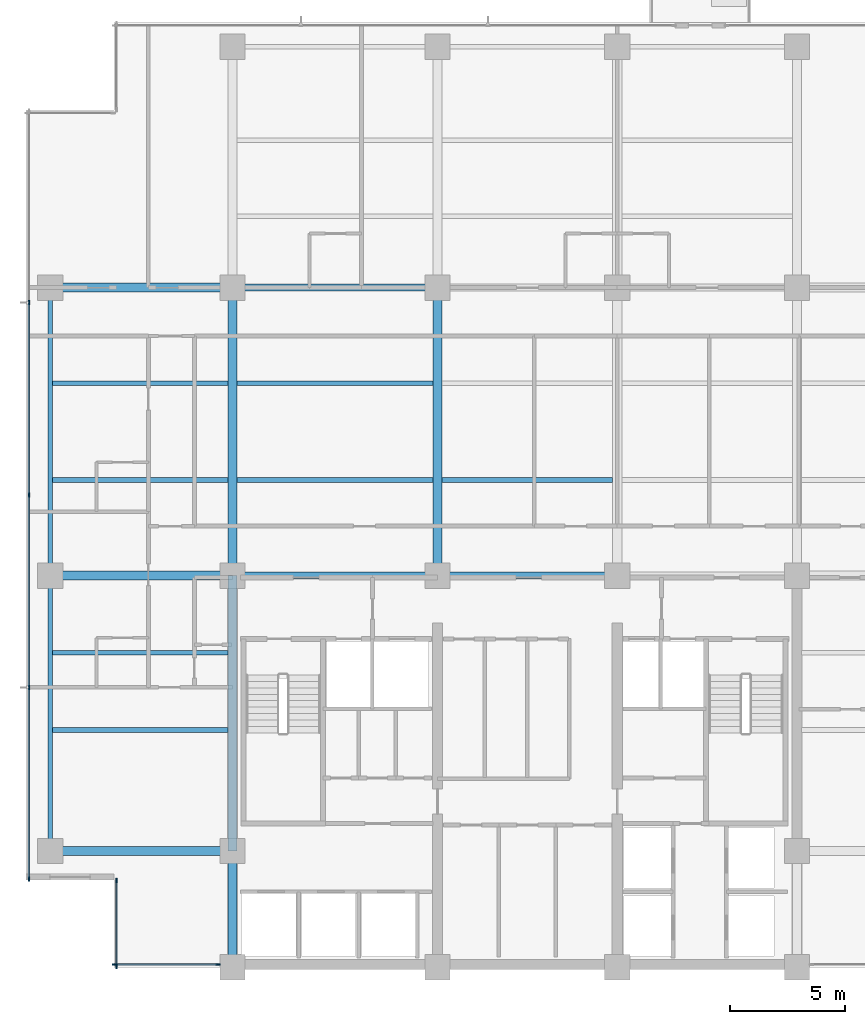
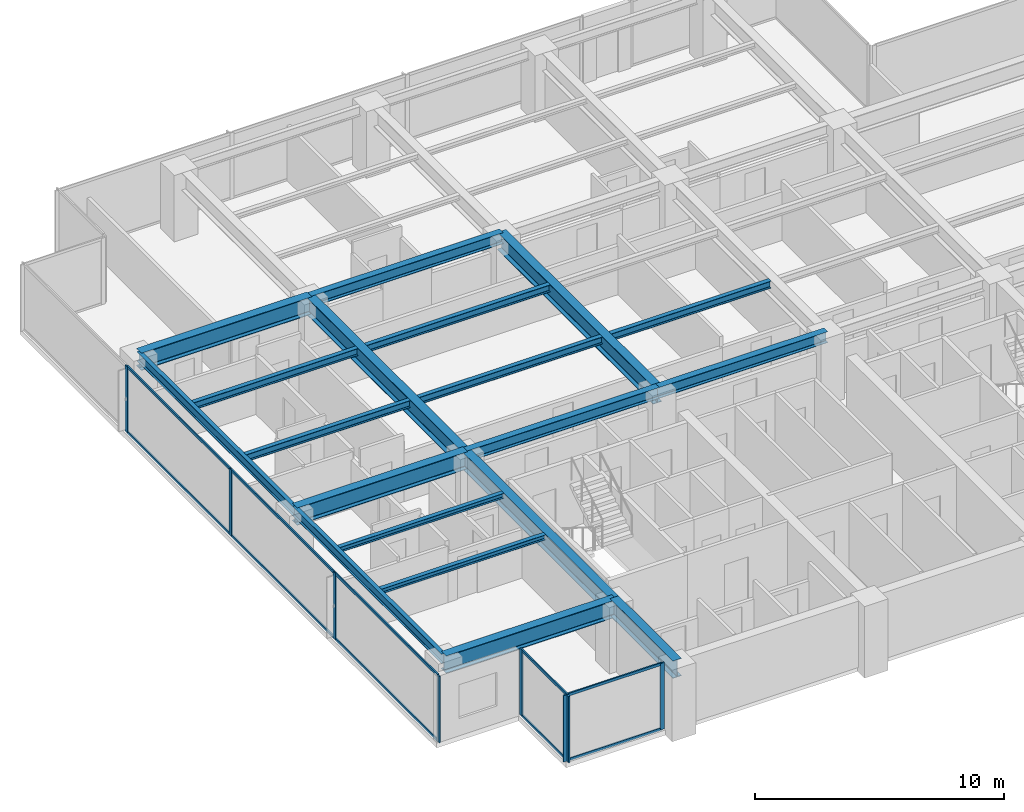
# One storey, part 2 of 15: 19 beams, 18 members, 3 elements without a shape of their own.
"""IFC4 building model written with IfcOpenShell, lengths in metres."""

from ifc_helpers import new_model, si_unit, direction, frame, origin, origin_2d, place, context, subcontext, project, spatial, rectangle, i_section, extrude, material, layer, layer_set, material_profile, profile_set, type_object, element, aggregate, save


model = new_model("IFC4")

# Units and contexts
model_context = context("Model", 3, precision=1e-05, world=origin(), true_north=direction((0.0, 1.0)))
body_context = subcontext(model_context, "Body", "Model", "MODEL_VIEW")
ifc_project = project(units=[si_unit("LENGTHUNIT", "METRE"), si_unit("AREAUNIT", "SQUARE_METRE"), si_unit("VOLUMEUNIT", "CUBIC_METRE"), si_unit("PLANEANGLEUNIT", "RADIAN"), si_unit("MASSUNIT", "GRAM", prefix="KILO")], contexts=[model_context])

# Site, building, storey
site_placement = place(None, origin())
site = spatial("IfcSite", under=ifc_project, at=site_placement, CompositionType="ELEMENT")
building_placement = place(site_placement, origin())
building = spatial("IfcBuilding", under=site, at=building_placement, Name="Qalmaran Belvedere Hotel", CompositionType="ELEMENT")
storey_placement = place(building_placement, frame((0.0, 0.0, 163.10009765625)))
storey = spatial("IfcBuildingStorey", under=building, at=storey_placement, Name="L41", CompositionType="ELEMENT", Elevation=163.10009765625)

# Beams
ifc_material_1 = material(Name="Steel S355JR", Category="steel")
ifc_material_profile_1 = material_profile(ifc_material_1, i_section(OverallWidth=0.201904296875, OverallDepth=0.2470703125, WebThickness=0.00732421875, FlangeThickness=0.010986328125, FilletRadius=0.011962890625, at=origin_2d()), Name="W250X49")
ifc_profile_set_1 = profile_set([ifc_material_profile_1], Name="Steel S355JR")
beam_type_1 = type_object("IfcBeamType", Name="BM-JST-W250X49", PredefinedType="JOIST", material=ifc_profile_set_1)
for number, where, z_axis, x_axis, name in (
    (1, (12.493896484375, 13.800048828125, 3.12646484375), (1.0, 0.0, 0.0), (0.0, 1.0, 0.0), "L41 West Wing Joist 038"),
    (2, (12.493896484375, 17.14990234375, 3.12646484375), (1.0, 0.0, 0.0), (0.0, 1.0, 0.0), "L41 West Wing Joist 040"),
):
    element("IfcBeam", number, at=place(storey_placement, frame(where, z_axis=z_axis, x_axis=x_axis)), inside=storey, type_object=beam_type_1, Name=name, PredefinedType="JOIST", context=body_context, shape_type="SweptSolid", body=[
        extrude(i_section(OverallWidth=0.201904296875, OverallDepth=0.2470703125, WebThickness=0.00732421875, FlangeThickness=0.010986328125, FilletRadius=0.011962890625, at=origin_2d()), origin(), (0.0, 0.0, 1.0), 7.608154296875),
    ])
ifc_material_profile_2 = material_profile(ifc_material_1, i_section(OverallWidth=0.39990234375, OverallDepth=0.85498046875, WebThickness=0.018310546875, FlangeThickness=0.029296875, FilletRadius=0.02392578125, at=origin_2d()), Name="W840X299")
ifc_profile_set_2 = profile_set([ifc_material_profile_2], Name="Steel S355JR")
beam_type_2 = type_object("IfcBeamType", Name="BM-PG3-W840X299", PredefinedType="USERDEFINED", material=ifc_profile_set_2)
for number, where, z_axis, x_axis, name in (
    (3, (20.300048828125, 20.5, 2.822509765625), (0.0, 1.0, 0.0), (-1.0, 0.0, 0.0), "L41 Mid-Plate N-S Girder 14"),
    (4, (29.199951171875, 20.5, 2.822509765625), (0.0, 1.0, 0.0), (-1.0, 0.0, 0.0), "L41 Mid-Plate N-S Girder 16"),
):
    element("IfcBeam", number, at=place(storey_placement, frame(where, z_axis=z_axis, x_axis=x_axis)), inside=storey, type_object=beam_type_2, Name=name, ObjectType="GIRDER", PredefinedType="USERDEFINED", context=body_context, shape_type="SweptSolid", body=[
        extrude(i_section(OverallWidth=0.39990234375, OverallDepth=0.85498046875, WebThickness=0.018310546875, FlangeThickness=0.029296875, FilletRadius=0.02392578125, at=origin_2d()), origin(), (0.0, 0.0, 1.0), 12.5),
    ])
for number, where, z_axis, x_axis, name in (
    (5, (12.39990234375, 8.550048828125, 2.822509765625), (1.0, 0.0, 0.0), (0.0, 1.0, 0.0), "L41 West Wing Girder 22"),
    (6, (12.39990234375, 20.5, 2.822509765625), (1.0, 0.0, 0.0), (0.0, 1.0, 0.0), "L41 West Wing Girder 23"),
    (7, (12.39990234375, 33.0, 2.822509765625), (1.0, 0.0, 0.0), (0.0, 1.0, 0.0), "L41 West Wing Girder 24"),
):
    element("IfcBeam", number, at=place(storey_placement, frame(where, z_axis=z_axis, x_axis=x_axis)), inside=storey, type_object=beam_type_2, Name=name, ObjectType="GIRDER", PredefinedType="USERDEFINED", context=body_context, shape_type="SweptSolid", body=[
        extrude(i_section(OverallWidth=0.39990234375, OverallDepth=0.85498046875, WebThickness=0.018310546875, FlangeThickness=0.029296875, FilletRadius=0.02392578125, at=origin_2d()), origin(), (0.0, 0.0, 1.0), 7.900146484375),
    ])
beam_1_placement = place(storey_placement, frame((20.300048828125, 3.5, 2.822509765625), z_axis=(0.0, 1.0, 0.0), x_axis=(-1.0, 0.0, 0.0)))
element("IfcBeam", 8, at=beam_1_placement, inside=storey, type_object=beam_type_2, Name="L41 West Core Edge Girder A", ObjectType="GIRDER", PredefinedType="USERDEFINED", context=body_context, shape_type="SweptSolid", body=[
    extrude(i_section(OverallWidth=0.39990234375, OverallDepth=0.85498046875, WebThickness=0.018310546875, FlangeThickness=0.029296875, FilletRadius=0.02392578125, at=origin_2d()), origin(), (0.0, 0.0, 1.0), 5.050048828125),
])
beam_2_placement = place(storey_placement, frame((20.300048828125, 8.550048828125, 2.822509765625), z_axis=(0.0, 1.0, 0.0), x_axis=(-1.0, 0.0, 0.0)))
element("IfcBeam", 9, at=beam_2_placement, inside=storey, type_object=beam_type_2, Name="L41 West Core Edge Girder B", ObjectType="GIRDER", PredefinedType="USERDEFINED", context=body_context, shape_type="SweptSolid", body=[
    extrude(i_section(OverallWidth=0.39990234375, OverallDepth=0.85498046875, WebThickness=0.018310546875, FlangeThickness=0.029296875, FilletRadius=0.02392578125, at=origin_2d()), origin(), (0.0, 0.0, 1.0), 11.949951171875),
])
ifc_material_profile_3 = material_profile(ifc_material_1, i_section(OverallWidth=0.205078125, OverallDepth=0.35400390625, WebThickness=0.009521484375, FlangeThickness=0.016845703125, FilletRadius=0.014892578125, at=origin_2d()), Name="W360X79")
ifc_profile_set_3 = profile_set([ifc_material_profile_3], Name="Steel S355JR")
beam_type_3 = type_object("IfcBeamType", Name="BM-SB3-W360X79", PredefinedType="BEAM", material=ifc_profile_set_3)
beam_3_placement = place(storey_placement, frame((12.493896484375, 24.64990234375, 3.072998046875), z_axis=(1.0, 0.0, 0.0), x_axis=(0.0, 1.0, 0.0)))
element("IfcBeam", 10, at=beam_3_placement, inside=storey, type_object=beam_type_3, Name="L41 West Secondary Beam 028", PredefinedType="BEAM", context=body_context, shape_type="SweptSolid", body=[
    extrude(i_section(OverallWidth=0.205078125, OverallDepth=0.35400390625, WebThickness=0.009521484375, FlangeThickness=0.016845703125, FilletRadius=0.014892578125, at=origin_2d()), origin(), (0.0, 0.0, 1.0), 7.608154296875),
])
beam_4_placement = place(storey_placement, frame((20.498046875, 24.64990234375, 3.072998046875), z_axis=(1.0, 0.0, 0.0), x_axis=(0.0, 1.0, 0.0)))
element("IfcBeam", 11, at=beam_4_placement, inside=storey, type_object=beam_type_3, Name="L41 Secondary Floor Beam 029", PredefinedType="BEAM", context=body_context, shape_type="SweptSolid", body=[
    extrude(i_section(OverallWidth=0.205078125, OverallDepth=0.35400390625, WebThickness=0.009521484375, FlangeThickness=0.016845703125, FilletRadius=0.014892578125, at=origin_2d()), origin(), (0.0, 0.0, 1.0), 8.50390625),
])
beam_5_placement = place(storey_placement, frame((29.39794921875, 24.64990234375, 3.072998046875), z_axis=(1.0, 0.0, 0.0), x_axis=(0.0, 1.0, 0.0)))
element("IfcBeam", 12, at=beam_5_placement, inside=storey, type_object=beam_type_3, Name="L41 Secondary Floor Beam 030", PredefinedType="BEAM", context=body_context, shape_type="SweptSolid", body=[
    extrude(i_section(OverallWidth=0.205078125, OverallDepth=0.35400390625, WebThickness=0.009521484375, FlangeThickness=0.016845703125, FilletRadius=0.014892578125, at=origin_2d()), origin(), (0.0, 0.0, 1.0), 7.404052734375),
])
beam_6_placement = place(storey_placement, frame((12.493896484375, 28.85009765625, 3.072998046875), z_axis=(1.0, 0.0, 0.0), x_axis=(0.0, 1.0, 0.0)))
element("IfcBeam", 13, at=beam_6_placement, inside=storey, type_object=beam_type_3, Name="L41 West Secondary Beam 033", PredefinedType="BEAM", context=body_context, shape_type="SweptSolid", body=[
    extrude(i_section(OverallWidth=0.205078125, OverallDepth=0.35400390625, WebThickness=0.009521484375, FlangeThickness=0.016845703125, FilletRadius=0.014892578125, at=origin_2d()), origin(), (0.0, 0.0, 1.0), 7.608154296875),
])
beam_7_placement = place(storey_placement, frame((20.498046875, 28.85009765625, 3.072998046875), z_axis=(1.0, 0.0, 0.0), x_axis=(0.0, 1.0, 0.0)))
element("IfcBeam", 14, at=beam_7_placement, inside=storey, type_object=beam_type_3, Name="L41 Secondary Floor Beam 034", PredefinedType="BEAM", context=body_context, shape_type="SweptSolid", body=[
    extrude(i_section(OverallWidth=0.205078125, OverallDepth=0.35400390625, WebThickness=0.009521484375, FlangeThickness=0.016845703125, FilletRadius=0.014892578125, at=origin_2d()), origin(), (0.0, 0.0, 1.0), 8.50390625),
])
ifc_material_profile_4 = material_profile(ifc_material_1, i_section(OverallWidth=0.19189453125, OverallDepth=0.462890625, WebThickness=0.010498046875, FlangeThickness=0.017578125, FilletRadius=0.01611328125, at=origin_2d()), Name="W460X89")
ifc_profile_set_4 = profile_set([ifc_material_profile_4], Name="Steel S355JR")
beam_type_4 = type_object("IfcBeamType", Name="BM-SP2-W460X89", PredefinedType="SPANDREL", material=ifc_profile_set_4)
beam_8_placement = place(storey_placement, frame((12.39990234375, 8.550048828125, 3.018310546875), z_axis=(0.0, 1.0, 0.0), x_axis=(-1.0, 0.0, 0.0)))
element("IfcBeam", 15, at=beam_8_placement, inside=storey, type_object=beam_type_4, Name="L41 Perimeter Spandrel 01", PredefinedType="SPANDREL", context=body_context, shape_type="SweptSolid", body=[
    extrude(i_section(OverallWidth=0.19189453125, OverallDepth=0.462890625, WebThickness=0.010498046875, FlangeThickness=0.017578125, FilletRadius=0.01611328125, at=origin_2d()), origin(), (0.0, 0.0, 1.0), 11.949951171875),
])
beam_9_placement = place(storey_placement, frame((12.39990234375, 20.5, 3.018310546875), z_axis=(0.0, 1.0, 0.0), x_axis=(-1.0, 0.0, 0.0)))
element("IfcBeam", 16, at=beam_9_placement, inside=storey, type_object=beam_type_4, Name="L41 Perimeter Spandrel 02", PredefinedType="SPANDREL", context=body_context, shape_type="SweptSolid", body=[
    extrude(i_section(OverallWidth=0.19189453125, OverallDepth=0.462890625, WebThickness=0.010498046875, FlangeThickness=0.017578125, FilletRadius=0.01611328125, at=origin_2d()), origin(), (0.0, 0.0, 1.0), 12.5),
])
ifc_material_profile_5 = material_profile(ifc_material_1, i_section(OverallWidth=0.31201171875, OverallDepth=0.54296875, WebThickness=0.0126953125, FlangeThickness=0.020263671875, FilletRadius=0.01806640625, at=origin_2d()), Name="W530X150")
ifc_profile_set_5 = profile_set([ifc_material_profile_5], Name="Steel S355JR")
beam_type_5 = type_object("IfcBeamType", Name="BM-Z3-W530X150", PredefinedType="USERDEFINED", material=ifc_profile_set_5)
beam_10_placement = place(storey_placement, frame((20.300048828125, 20.5, 2.978515625), z_axis=(1.0, 0.0, 0.0), x_axis=(0.0, 1.0, 0.0)))
element("IfcBeam", 17, at=beam_10_placement, inside=storey, type_object=beam_type_5, Name="L41 Interior E-W Girder 08", ObjectType="GIRDER", PredefinedType="USERDEFINED", context=body_context, shape_type="SweptSolid", body=[
    extrude(i_section(OverallWidth=0.31201171875, OverallDepth=0.54296875, WebThickness=0.0126953125, FlangeThickness=0.020263671875, FilletRadius=0.01806640625, at=origin_2d()), origin(), (0.0, 0.0, 1.0), 8.89990234375),
])
beam_11_placement = place(storey_placement, frame((29.199951171875, 20.5, 2.978515625), z_axis=(1.0, 0.0, 0.0), x_axis=(0.0, 1.0, 0.0)))
element("IfcBeam", 18, at=beam_11_placement, inside=storey, type_object=beam_type_5, Name="L41 Interior E-W Girder 09", ObjectType="GIRDER", PredefinedType="USERDEFINED", context=body_context, shape_type="SweptSolid", body=[
    extrude(i_section(OverallWidth=0.31201171875, OverallDepth=0.54296875, WebThickness=0.0126953125, FlangeThickness=0.020263671875, FilletRadius=0.01806640625, at=origin_2d()), origin(), (0.0, 0.0, 1.0), 7.800048828125),
])
beam_12_placement = place(storey_placement, frame((20.300048828125, 33.0, 2.978515625), z_axis=(1.0, 0.0, 0.0), x_axis=(0.0, 1.0, 0.0)))
element("IfcBeam", 19, at=beam_12_placement, inside=storey, type_object=beam_type_5, Name="L41 Interior E-W Girder 11", ObjectType="GIRDER", PredefinedType="USERDEFINED", context=body_context, shape_type="SweptSolid", body=[
    extrude(i_section(OverallWidth=0.31201171875, OverallDepth=0.54296875, WebThickness=0.0126953125, FlangeThickness=0.020263671875, FilletRadius=0.01806640625, at=origin_2d()), origin(), (0.0, 0.0, 1.0), 8.89990234375),
])

# Curtain wall, members
ifc_material_2 = material(Name="Anodised Bronze Aluminium", Category="aluminium")
ifc_layer = layer(ifc_material_2, 0.195068359375, Name="Anodised Bronze Aluminium")
ifc_layer_set = layer_set([ifc_layer], Name="Anodised Bronze Aluminium")
curtain_wall_type = type_object("IfcCurtainWallType", Name="CW4-TOWER-HIGHMID", PredefinedType="NOTDEFINED", material=ifc_layer_set)
curtain_wall_1_placement = place(storey_placement, origin())
curtain_wall_1 = element("IfcCurtainWall", 20, at=curtain_wall_1_placement, inside=storey, type_object=curtain_wall_type, Name="L41 Curtain Wall CW4", PredefinedType="NOTDEFINED")
ifc_material_profile_6 = material_profile(ifc_material_2, rectangle(XDim=0.070068359375, YDim=0.18994140625, at=origin_2d()), Name="CWM70X190")
ifc_profile_set_6 = profile_set([ifc_material_profile_6], Name="Anodised Bronze Aluminium")
member_type_1 = type_object("IfcMemberType", Name="CWM-70X190", PredefinedType="MULLION", material=ifc_profile_set_6)
member_1_placement = place(storey_placement, frame((15.18505859375, 3.6201171875, 0.0), z_axis=(0.0, 0.0, 1.0), x_axis=(0.0, 1.0, 0.0)))
member_1 = element("IfcMember", 21, at=member_1_placement, type_object=member_type_1, Name="CW4 mullion 1", PredefinedType="MULLION", context=body_context, shape_type="SweptSolid", body=[
    extrude(rectangle(XDim=0.070068359375, YDim=0.18994140625, at=origin_2d()), origin(), (0.0, 0.0, 1.0), 3.25),
])
member_2_placement = place(storey_placement, frame((19.675048828125, 3.6201171875, 0.0), z_axis=(0.0, 0.0, 1.0), x_axis=(0.0, 1.0, 0.0)))
member_2 = element("IfcMember", 22, at=member_2_placement, type_object=member_type_1, Name="CW4 mullion 2", PredefinedType="MULLION", context=body_context, shape_type="SweptSolid", body=[
    extrude(rectangle(XDim=0.070068359375, YDim=0.18994140625, at=origin_2d()), origin(), (0.0, 0.0, 1.0), 3.25),
])

curtain_wall_2_placement = place(storey_placement, origin())
curtain_wall_2 = element("IfcCurtainWall", 23, at=curtain_wall_2_placement, inside=storey, type_object=curtain_wall_type, Name="L41 Curtain Wall CW4", PredefinedType="NOTDEFINED")
member_3_placement = place(storey_placement, frame((11.469970703125, 32.35009765625, 0.0), z_axis=(0.0, 0.0, 1.0), x_axis=(1.0, 0.0, 0.0)))
member_3 = element("IfcMember", 24, at=member_3_placement, type_object=member_type_1, Name="CW4 mullion 2", PredefinedType="MULLION", context=body_context, shape_type="SweptSolid", body=[
    extrude(rectangle(XDim=0.070068359375, YDim=0.18994140625, at=origin_2d()), origin(), (0.0, 0.0, 1.0), 3.25),
])
member_4_placement = place(storey_placement, frame((11.469970703125, 24.0, 0.0), z_axis=(0.0, 0.0, 1.0), x_axis=(1.0, 0.0, 0.0)))
member_4 = element("IfcMember", 25, at=member_4_placement, type_object=member_type_1, Name="CW4 mullion 3", PredefinedType="MULLION", context=body_context, shape_type="SweptSolid", body=[
    extrude(rectangle(XDim=0.070068359375, YDim=0.18994140625, at=origin_2d()), origin(), (0.0, 0.0, 1.0), 3.25),
])
member_5_placement = place(storey_placement, frame((11.469970703125, 15.64990234375, 0.0), z_axis=(0.0, 0.0, 1.0), x_axis=(1.0, 0.0, 0.0)))
member_5 = element("IfcMember", 26, at=member_5_placement, type_object=member_type_1, Name="CW4 mullion 4", PredefinedType="MULLION", context=body_context, shape_type="SweptSolid", body=[
    extrude(rectangle(XDim=0.070068359375, YDim=0.18994140625, at=origin_2d()), origin(), (0.0, 0.0, 1.0), 3.25),
])
member_6_placement = place(storey_placement, frame((11.469970703125, 7.3349609375, 0.0), z_axis=(0.0, 0.0, 1.0), x_axis=(1.0, 0.0, 0.0)))
member_6 = element("IfcMember", 27, at=member_6_placement, type_object=member_type_1, Name="CW4 mullion 5", PredefinedType="MULLION", context=body_context, shape_type="SweptSolid", body=[
    extrude(rectangle(XDim=0.070068359375, YDim=0.18994140625, at=origin_2d()), origin(), (0.0, 0.0, 1.0), 3.25),
])

curtain_wall_3_placement = place(storey_placement, origin())
curtain_wall_3 = element("IfcCurtainWall", 28, at=curtain_wall_3_placement, inside=storey, type_object=curtain_wall_type, Name="L41 Curtain Wall CW4", PredefinedType="NOTDEFINED")
member_7_placement = place(storey_placement, frame((15.27001953125, 7.264892578125, 0.0), z_axis=(0.0, 0.0, 1.0), x_axis=(1.0, 0.0, 0.0)))
member_7 = element("IfcMember", 29, at=member_7_placement, type_object=member_type_1, Name="CW4 mullion 1", PredefinedType="MULLION", context=body_context, shape_type="SweptSolid", body=[
    extrude(rectangle(XDim=0.070068359375, YDim=0.18994140625, at=origin_2d()), origin(), (0.0, 0.0, 1.0), 3.25),
])
member_8_placement = place(storey_placement, frame((15.27001953125, 3.534912109375, 0.0), z_axis=(0.0, 0.0, 1.0), x_axis=(1.0, 0.0, 0.0)))
member_8 = element("IfcMember", 30, at=member_8_placement, type_object=member_type_1, Name="CW4 mullion 2", PredefinedType="MULLION", context=body_context, shape_type="SweptSolid", body=[
    extrude(rectangle(XDim=0.070068359375, YDim=0.18994140625, at=origin_2d()), origin(), (0.0, 0.0, 1.0), 3.25),
])

# Member
ifc_material_profile_7 = material_profile(ifc_material_2, rectangle(XDim=0.06494140625, YDim=0.1298828125, at=origin_2d()), Name="CWT65X130")
ifc_profile_set_7 = profile_set([ifc_material_profile_7], Name="Anodised Bronze Aluminium")
member_type_2 = type_object("IfcMemberType", Name="CWT-65X130", PredefinedType="USERDEFINED", material=ifc_profile_set_7)
member_9_placement = place(storey_placement, frame((15.219970703125, 3.6201171875, 0.032470703125), z_axis=(1.0, 0.0, 0.0), x_axis=(0.0, 1.0, 0.0)))
member_9 = element("IfcMember", 31, at=member_9_placement, type_object=member_type_2, Name="CW4 transom 1.1", ObjectType="TRANSOM", PredefinedType="USERDEFINED", context=body_context, shape_type="SweptSolid", body=[
    extrude(rectangle(XDim=0.06494140625, YDim=0.1298828125, at=origin_2d()), origin(), (0.0, 0.0, 1.0), 4.419921875),
])

member_10_placement = place(storey_placement, frame((15.219970703125, 3.6201171875, 3.21728515625), z_axis=(1.0, 0.0, 0.0), x_axis=(0.0, 1.0, 0.0)))
member_10 = element("IfcMember", 32, at=member_10_placement, type_object=member_type_2, Name="CW4 transom 1.2", ObjectType="TRANSOM", PredefinedType="USERDEFINED", context=body_context, shape_type="SweptSolid", body=[
    extrude(rectangle(XDim=0.06494140625, YDim=0.1298828125, at=origin_2d()), origin(), (0.0, 0.0, 1.0), 4.419921875),
])

aggregate(curtain_wall_1, [member_1, member_2, member_9, member_10])

member_11_placement = place(storey_placement, frame((11.469970703125, 32.31494140625, 0.032470703125), z_axis=(0.0, -1.0, 0.0), x_axis=(1.0, 0.0, 0.0)))
member_11 = element("IfcMember", 33, at=member_11_placement, type_object=member_type_2, Name="CW4 transom 2.1", ObjectType="TRANSOM", PredefinedType="USERDEFINED", context=body_context, shape_type="SweptSolid", body=[
    extrude(rectangle(XDim=0.06494140625, YDim=0.1298828125, at=origin_2d()), origin(), (0.0, 0.0, 1.0), 8.280029296875),
])

member_12_placement = place(storey_placement, frame((11.469970703125, 32.31494140625, 3.21728515625), z_axis=(0.0, -1.0, 0.0), x_axis=(1.0, 0.0, 0.0)))
member_12 = element("IfcMember", 34, at=member_12_placement, type_object=member_type_2, Name="CW4 transom 2.2", ObjectType="TRANSOM", PredefinedType="USERDEFINED", context=body_context, shape_type="SweptSolid", body=[
    extrude(rectangle(XDim=0.06494140625, YDim=0.1298828125, at=origin_2d()), origin(), (0.0, 0.0, 1.0), 8.280029296875),
])

member_13_placement = place(storey_placement, frame((11.469970703125, 23.965087890625, 0.032470703125), z_axis=(0.0, -1.0, 0.0), x_axis=(1.0, 0.0, 0.0)))
member_13 = element("IfcMember", 35, at=member_13_placement, type_object=member_type_2, Name="CW4 transom 3.1", ObjectType="TRANSOM", PredefinedType="USERDEFINED", context=body_context, shape_type="SweptSolid", body=[
    extrude(rectangle(XDim=0.06494140625, YDim=0.1298828125, at=origin_2d()), origin(), (0.0, 0.0, 1.0), 8.280029296875),
])

member_14_placement = place(storey_placement, frame((11.469970703125, 23.965087890625, 3.21728515625), z_axis=(0.0, -1.0, 0.0), x_axis=(1.0, 0.0, 0.0)))
member_14 = element("IfcMember", 36, at=member_14_placement, type_object=member_type_2, Name="CW4 transom 3.2", ObjectType="TRANSOM", PredefinedType="USERDEFINED", context=body_context, shape_type="SweptSolid", body=[
    extrude(rectangle(XDim=0.06494140625, YDim=0.1298828125, at=origin_2d()), origin(), (0.0, 0.0, 1.0), 8.280029296875),
])

member_15_placement = place(storey_placement, frame((11.469970703125, 15.614990234375, 0.032470703125), z_axis=(0.0, -1.0, 0.0), x_axis=(1.0, 0.0, 0.0)))
member_15 = element("IfcMember", 37, at=member_15_placement, type_object=member_type_2, Name="CW4 transom 4.1", ObjectType="TRANSOM", PredefinedType="USERDEFINED", context=body_context, shape_type="SweptSolid", body=[
    extrude(rectangle(XDim=0.06494140625, YDim=0.1298828125, at=origin_2d()), origin(), (0.0, 0.0, 1.0), 8.244873046875),
])

member_16_placement = place(storey_placement, frame((11.469970703125, 15.614990234375, 3.21728515625), z_axis=(0.0, -1.0, 0.0), x_axis=(1.0, 0.0, 0.0)))
member_16 = element("IfcMember", 38, at=member_16_placement, type_object=member_type_2, Name="CW4 transom 4.2", ObjectType="TRANSOM", PredefinedType="USERDEFINED", context=body_context, shape_type="SweptSolid", body=[
    extrude(rectangle(XDim=0.06494140625, YDim=0.1298828125, at=origin_2d()), origin(), (0.0, 0.0, 1.0), 8.244873046875),
])

aggregate(curtain_wall_2, [member_3, member_4, member_5, member_6, member_11, member_12, member_13, member_14, member_15, member_16])

member_17_placement = place(storey_placement, frame((15.27001953125, 7.22998046875, 0.032470703125), z_axis=(0.0, -1.0, 0.0), x_axis=(1.0, 0.0, 0.0)))
member_17 = element("IfcMember", 39, at=member_17_placement, type_object=member_type_2, Name="CW4 transom 1.1", ObjectType="TRANSOM", PredefinedType="USERDEFINED", context=body_context, shape_type="SweptSolid", body=[
    extrude(rectangle(XDim=0.06494140625, YDim=0.1298828125, at=origin_2d()), origin(), (0.0, 0.0, 1.0), 3.659912109375),
])

member_18_placement = place(storey_placement, frame((15.27001953125, 7.22998046875, 3.21728515625), z_axis=(0.0, -1.0, 0.0), x_axis=(1.0, 0.0, 0.0)))
member_18 = element("IfcMember", 40, at=member_18_placement, type_object=member_type_2, Name="CW4 transom 1.2", ObjectType="TRANSOM", PredefinedType="USERDEFINED", context=body_context, shape_type="SweptSolid", body=[
    extrude(rectangle(XDim=0.06494140625, YDim=0.1298828125, at=origin_2d()), origin(), (0.0, 0.0, 1.0), 3.659912109375),
])

aggregate(curtain_wall_3, [member_7, member_8, member_17, member_18])

save(model, "model.ifc")
